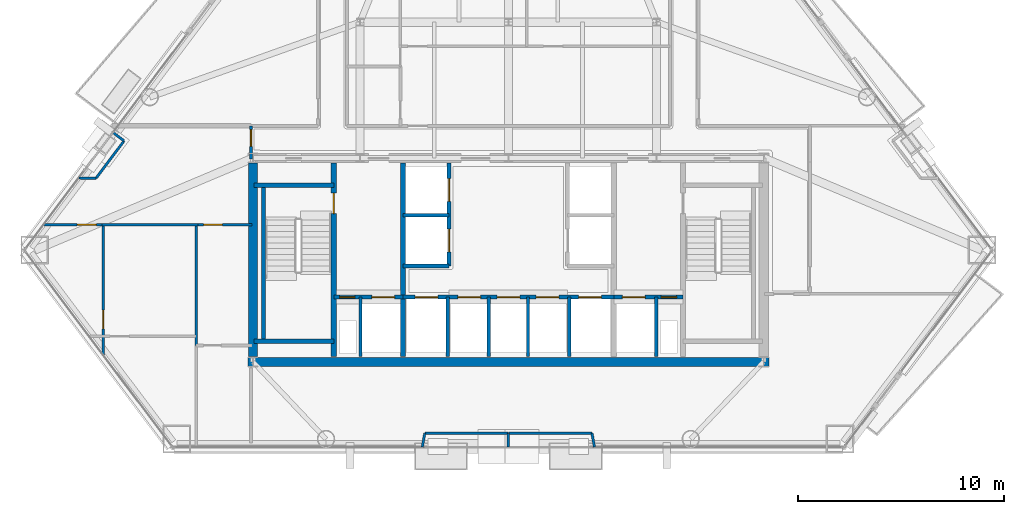
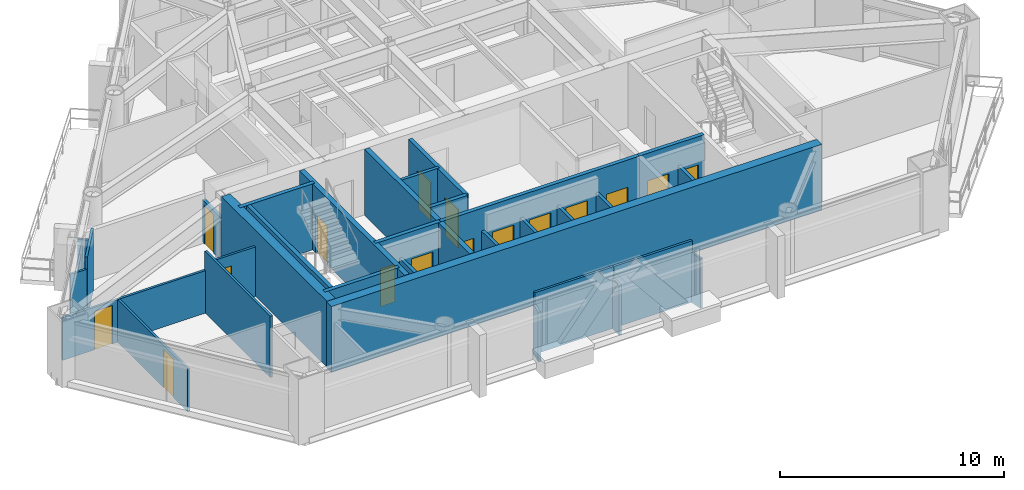
# One storey, part 6 of 11: 33 walls, 16 doors, 16 openings.
"""IFC4 building model written with IfcOpenShell, lengths in metres."""

from ifc_helpers import new_model, si_unit, direction, frame, frame_2d, origin, place, context, subcontext, project, spatial, rectangle, extrude, material, layer, layer_set, type_object, element, fill, save


model = new_model("IFC4")

# Units and contexts
model_context = context("Model", 3, precision=1e-05, world=origin(), true_north=direction((0.0, 1.0)))
body_context = subcontext(model_context, "Body", "Model", "MODEL_VIEW")
ifc_project = project(units=[si_unit("LENGTHUNIT", "METRE"), si_unit("AREAUNIT", "SQUARE_METRE"), si_unit("VOLUMEUNIT", "CUBIC_METRE"), si_unit("PLANEANGLEUNIT", "RADIAN"), si_unit("MASSUNIT", "GRAM", prefix="KILO")], contexts=[model_context])

# Site, building, storey
site_placement = place(None, origin())
site = spatial("IfcSite", under=ifc_project, at=site_placement, CompositionType="ELEMENT")
building_placement = place(site_placement, origin())
building = spatial("IfcBuilding", under=site, at=building_placement, Name="Talgorran Terracotta Tower", CompositionType="ELEMENT")
storey_placement = place(building_placement, frame((0.0, 0.0, 72.0)))
storey = spatial("IfcBuildingStorey", under=building, at=storey_placement, Name="L18", CompositionType="ELEMENT", Elevation=72.0)

# Walls
ifc_material_1 = material(Name="Concrete C50/60", Category="concrete")
ifc_layer_1 = layer(ifc_material_1, 0.199951171875, Name="WT_CORE_200")
ifc_layer_set_1 = layer_set([ifc_layer_1], Name="Concrete C50/60")
wall_type_1 = type_object("IfcWallType", Name="WT_CORE_200", PredefinedType="SOLIDWALL", material=ifc_layer_set_1)
for number, where, z_axis, x_axis, name in (
    (1, (-12.35009765625, -5.52001953125, 0.0), (0.0, 0.0, 1.0), (1.0, 0.0, 0.0), "WL-L18-CW-ST1-N"),
    (2, (-12.35009765625, -13.10009765625, 0.0), (0.0, 0.0, 1.0), (1.0, 0.0, 0.0), "WL-L18-CW-ST1-S"),
):
    element("IfcWall", number, at=place(storey_placement, frame(where, z_axis=z_axis, x_axis=x_axis)), inside=storey, type_object=wall_type_1, Name=name, PredefinedType="SOLIDWALL", context=body_context, shape_type="SweptSolid", body=[
        extrude(rectangle(XDim=3.8701171875, YDim=0.199951171875, at=frame_2d((1.93505859375, 0.0))), origin(), (0.0, 0.0, 1.0), 3.60009765625),
    ])
wall_1_placement = place(storey_placement, frame((-11.89990234375, -13.10009765625, 0.0), z_axis=(0.0, 0.0, 1.0), x_axis=(0.0, 1.0, 0.0)))
element("IfcWall", 3, at=wall_1_placement, inside=storey, type_object=wall_type_1, Name="WL-L18-CW-ST1-W", PredefinedType="SOLIDWALL", context=body_context, shape_type="SweptSolid", body=[
    extrude(rectangle(XDim=7.580078125, YDim=0.199951171875, at=frame_2d((3.7900390625, 0.0))), origin(), (0.0, 0.0, 1.0), 3.60009765625),
])

# Wall, openings, doors
wall_2_placement = place(storey_placement, frame((-8.47998046875, -10.949951171875, 0.0), z_axis=(0.0, 0.0, 1.0), x_axis=(1.0, 0.0, 0.0)))
wall_2 = element("IfcWall", 4, at=wall_2_placement, inside=storey, type_object=wall_type_1, Name="WL-L18-CW-H-SBW", PredefinedType="SOLIDWALL", context=body_context, shape_type="SweptSolid", body=[
    extrude(rectangle(XDim=3.35986328125, YDim=0.199951171875, at=frame_2d((1.679931640625, 0.0))), origin(), (0.0, 0.0, 1.0), 3.60009765625),
])
opening_1_placement = place(wall_2_placement, frame((0.280029296875, 0.0, 0.0)))
opening_1 = element("IfcOpeningElement", 5, at=opening_1_placement, cuts=wall_2, Name="Opening DR-RSW", PredefinedType="OPENING", context=body_context, shape_type="SweptSolid", body=[
    extrude(rectangle(XDim=0.756, YDim=2.054048828125, at=frame_2d((0.375, 1.027099609375))), frame((0.0, 0.10986328125, 0.0), z_axis=(0.0, -1.0, 0.0), x_axis=(1.0, 0.0, 0.0)), (0.0, 0.0, 1.0), 0.219970703125),
])
opening_2_placement = place(wall_2_placement, frame((1.85009765625, 0.0, 0.0)))
opening_2 = element("IfcOpeningElement", 6, at=opening_2_placement, cuts=wall_2, Name="Opening LD-FFL1", PredefinedType="OPENING", context=body_context, shape_type="SweptSolid", body=[
    extrude(rectangle(XDim=1.10609765625, YDim=2.10409765625, at=frame_2d((0.550048828125, 1.052001953125))), frame((0.0, 0.10986328125, 0.0), z_axis=(0.0, -1.0, 0.0), x_axis=(1.0, 0.0, 0.0)), (0.0, 0.0, 1.0), 0.219970703125),
])
ifc_material_2 = material(Name="Brushed Stainless Steel Grade 304", Category="steel")
door_type_1 = type_object("IfcDoorType", Name="DT_LIFT_LD1100", OperationType="DOUBLE_DOOR_SLIDING", PredefinedType="DOOR", material=ifc_material_2)
door_1_placement = place(opening_2_placement, origin())
door_1 = element("IfcDoor", 7, at=door_1_placement, inside=storey, type_object=door_type_1, Name="L18 Lift Landing Door LD-FFL1", OperationType="DOUBLE_DOOR_SLIDING", OverallHeight=2.10009765625, OverallWidth=1.10009765625, PredefinedType="DOOR", context=body_context, shape_type="SweptSolid", body=[
    extrude(rectangle(XDim=1.10009765625, YDim=2.10009765625, at=frame_2d((0.550048828125, 1.050048828125))), frame((0.0, 0.02490234375, 0.0), z_axis=(0.0, -1.0, 0.0), x_axis=(1.0, 0.0, 0.0)), (0.0, 0.0, 1.0), 0.050048828125),
])
fill(opening_2, door_1)
ifc_material_3 = material(Name="Fire-Rated Pressed Steel", Category="steel")
door_type_2 = type_object("IfcDoorType", Name="DT_RISER_750", OperationType="NOTDEFINED", PredefinedType="DOOR", material=ifc_material_3)
door_2_placement = place(opening_1_placement, origin())
door_2 = element("IfcDoor", 8, at=door_2_placement, inside=storey, type_object=door_type_2, Name="DR-RSW", OperationType="SINGLE_SWING_LEFT", OverallHeight=2.050048828125, OverallWidth=0.75, PredefinedType="DOOR", context=body_context, shape_type="SweptSolid", body=[
    extrude(rectangle(XDim=0.75, YDim=2.050048828125, at=frame_2d((0.375, 1.02490234375))), frame((0.0, 0.02490234375, 0.0), z_axis=(0.0, -1.0, 0.0), x_axis=(1.0, 0.0, 0.0)), (0.0, 0.0, 1.0), 0.050048828125),
])
fill(opening_1, door_2)

wall_3_placement = place(storey_placement, frame((-5.1201171875, -10.949951171875, 0.0), z_axis=(0.0, 0.0, 1.0), x_axis=(1.0, 0.0, 0.0)))
wall_3 = element("IfcWall", 9, at=wall_3_placement, inside=storey, type_object=wall_type_1, Name="WL-L18-CW-H-SBC", PredefinedType="SOLIDWALL", context=body_context, shape_type="SweptSolid", body=[
    extrude(rectangle(XDim=10.240234375, YDim=0.199951171875, at=frame_2d((5.1201171875, 0.0))), origin(), (0.0, 0.0, 1.0), 3.60009765625),
])
opening_3_placement = place(wall_3_placement, frame((0.60009765625, 0.0, 0.0)))
opening_3 = element("IfcOpeningElement", 10, at=opening_3_placement, cuts=wall_3, Name="Opening LD-OB1", PredefinedType="OPENING", context=body_context, shape_type="SweptSolid", body=[
    extrude(rectangle(XDim=1.10609765625, YDim=2.10409765625, at=frame_2d((0.550048828125, 1.052001953125))), frame((0.0, 0.10986328125, 0.0), z_axis=(0.0, -1.0, 0.0), x_axis=(1.0, 0.0, 0.0)), (0.0, 0.0, 1.0), 0.219970703125),
])
opening_4_placement = place(wall_3_placement, frame((2.669921875, 0.0, 0.0)))
opening_4 = element("IfcOpeningElement", 11, at=opening_4_placement, cuts=wall_3, Name="Opening LD-PLH1", PredefinedType="OPENING", context=body_context, shape_type="SweptSolid", body=[
    extrude(rectangle(XDim=1.10609765625, YDim=2.10409765625, at=frame_2d((0.550048828125, 1.052001953125))), frame((0.0, 0.10986328125, 0.0), z_axis=(0.0, -1.0, 0.0), x_axis=(1.0, 0.0, 0.0)), (0.0, 0.0, 1.0), 0.219970703125),
])
opening_5_placement = place(wall_3_placement, frame((4.570068359375, 0.0, 0.0)))
opening_5 = element("IfcOpeningElement", 12, at=opening_5_placement, cuts=wall_3, Name="Opening LD-PLH2", PredefinedType="OPENING", context=body_context, shape_type="SweptSolid", body=[
    extrude(rectangle(XDim=1.10609765625, YDim=2.10409765625, at=frame_2d((0.550048828125, 1.052001953125))), frame((0.0, 0.10986328125, 0.0), z_axis=(0.0, -1.0, 0.0), x_axis=(1.0, 0.0, 0.0)), (0.0, 0.0, 1.0), 0.219970703125),
])
opening_6_placement = place(wall_3_placement, frame((6.469970703125, 0.0, 0.0)))
opening_6 = element("IfcOpeningElement", 13, at=opening_6_placement, cuts=wall_3, Name="Opening LD-PLH3", PredefinedType="OPENING", context=body_context, shape_type="SweptSolid", body=[
    extrude(rectangle(XDim=1.10609765625, YDim=2.10409765625, at=frame_2d((0.550048828125, 1.052001953125))), frame((0.0, 0.10986328125, 0.0), z_axis=(0.0, -1.0, 0.0), x_axis=(1.0, 0.0, 0.0)), (0.0, 0.0, 1.0), 0.219970703125),
])
opening_7_placement = place(wall_3_placement, frame((8.5400390625, 0.0, 0.0)))
opening_7 = element("IfcOpeningElement", 14, at=opening_7_placement, cuts=wall_3, Name="Opening LD-SVL1", PredefinedType="OPENING", context=body_context, shape_type="SweptSolid", body=[
    extrude(rectangle(XDim=1.10609765625, YDim=2.10409765625, at=frame_2d((0.550048828125, 1.052001953125))), frame((0.0, 0.10986328125, 0.0), z_axis=(0.0, -1.0, 0.0), x_axis=(1.0, 0.0, 0.0)), (0.0, 0.0, 1.0), 0.219970703125),
])
door_3_placement = place(opening_3_placement, origin())
door_3 = element("IfcDoor", 15, at=door_3_placement, inside=storey, type_object=door_type_1, Name="L18 Lift Landing Door LD-OB1", OperationType="DOUBLE_DOOR_SLIDING", OverallHeight=2.10009765625, OverallWidth=1.10009765625, PredefinedType="DOOR", context=body_context, shape_type="SweptSolid", body=[
    extrude(rectangle(XDim=1.10009765625, YDim=2.10009765625, at=frame_2d((0.550048828125, 1.050048828125))), frame((0.0, 0.02490234375, 0.0), z_axis=(0.0, -1.0, 0.0), x_axis=(1.0, 0.0, 0.0)), (0.0, 0.0, 1.0), 0.050048828125),
])
fill(opening_3, door_3)
door_4_placement = place(opening_4_placement, origin())
door_4 = element("IfcDoor", 16, at=door_4_placement, inside=storey, type_object=door_type_1, Name="L18 Lift Landing Door LD-PLH1", OperationType="DOUBLE_DOOR_SLIDING", OverallHeight=2.10009765625, OverallWidth=1.10009765625, PredefinedType="DOOR", context=body_context, shape_type="SweptSolid", body=[
    extrude(rectangle(XDim=1.10009765625, YDim=2.10009765625, at=frame_2d((0.550048828125, 1.050048828125))), frame((0.0, 0.02490234375, 0.0), z_axis=(0.0, -1.0, 0.0), x_axis=(1.0, 0.0, 0.0)), (0.0, 0.0, 1.0), 0.050048828125),
])
fill(opening_4, door_4)
door_5_placement = place(opening_5_placement, origin())
door_5 = element("IfcDoor", 17, at=door_5_placement, inside=storey, type_object=door_type_1, Name="L18 Lift Landing Door LD-PLH2", OperationType="DOUBLE_DOOR_SLIDING", OverallHeight=2.10009765625, OverallWidth=1.10009765625, PredefinedType="DOOR", context=body_context, shape_type="SweptSolid", body=[
    extrude(rectangle(XDim=1.10009765625, YDim=2.10009765625, at=frame_2d((0.550048828125, 1.050048828125))), frame((0.0, 0.02490234375, 0.0), z_axis=(0.0, -1.0, 0.0), x_axis=(1.0, 0.0, 0.0)), (0.0, 0.0, 1.0), 0.050048828125),
])
fill(opening_5, door_5)
door_6_placement = place(opening_6_placement, origin())
door_6 = element("IfcDoor", 18, at=door_6_placement, inside=storey, type_object=door_type_1, Name="L18 Lift Landing Door LD-PLH3", OperationType="DOUBLE_DOOR_SLIDING", OverallHeight=2.10009765625, OverallWidth=1.10009765625, PredefinedType="DOOR", context=body_context, shape_type="SweptSolid", body=[
    extrude(rectangle(XDim=1.10009765625, YDim=2.10009765625, at=frame_2d((0.550048828125, 1.050048828125))), frame((0.0, 0.02490234375, 0.0), z_axis=(0.0, -1.0, 0.0), x_axis=(1.0, 0.0, 0.0)), (0.0, 0.0, 1.0), 0.050048828125),
])
fill(opening_6, door_6)
door_7_placement = place(opening_7_placement, origin())
door_7 = element("IfcDoor", 19, at=door_7_placement, inside=storey, type_object=door_type_1, Name="L18 Lift Landing Door LD-SVL1", OperationType="DOUBLE_DOOR_SLIDING", OverallHeight=2.10009765625, OverallWidth=1.10009765625, PredefinedType="DOOR", context=body_context, shape_type="SweptSolid", body=[
    extrude(rectangle(XDim=1.10009765625, YDim=2.10009765625, at=frame_2d((0.550048828125, 1.050048828125))), frame((0.0, 0.02490234375, 0.0), z_axis=(0.0, -1.0, 0.0), x_axis=(1.0, 0.0, 0.0)), (0.0, 0.0, 1.0), 0.050048828125),
])
fill(opening_7, door_7)

wall_4_placement = place(storey_placement, frame((5.1201171875, -10.949951171875, 0.0), z_axis=(0.0, 0.0, 1.0), x_axis=(1.0, 0.0, 0.0)))
wall_4 = element("IfcWall", 20, at=wall_4_placement, inside=storey, type_object=wall_type_1, Name="WL-L18-CW-H-SBE", PredefinedType="SOLIDWALL", context=body_context, shape_type="SweptSolid", body=[
    extrude(rectangle(XDim=3.35986328125, YDim=0.199951171875, at=frame_2d((1.679931640625, 0.0))), origin(), (0.0, 0.0, 1.0), 3.60009765625),
])
opening_8_placement = place(wall_4_placement, frame((0.419921875, 0.0, 0.0)))
opening_8 = element("IfcOpeningElement", 21, at=opening_8_placement, cuts=wall_4, Name="Opening LD-FFL2", PredefinedType="OPENING", context=body_context, shape_type="SweptSolid", body=[
    extrude(rectangle(XDim=1.10609765625, YDim=2.10409765625, at=frame_2d((0.550048828125, 1.052001953125))), frame((0.0, 0.10986328125, 0.0), z_axis=(0.0, -1.0, 0.0), x_axis=(1.0, 0.0, 0.0)), (0.0, 0.0, 1.0), 0.219970703125),
])
opening_9_placement = place(wall_4_placement, frame((2.300048828125, 0.0, 0.0)))
opening_9 = element("IfcOpeningElement", 22, at=opening_9_placement, cuts=wall_4, Name="Opening DR-RSE", PredefinedType="OPENING", context=body_context, shape_type="SweptSolid", body=[
    extrude(rectangle(XDim=0.756, YDim=2.054048828125, at=frame_2d((0.375, 1.027099609375))), frame((0.0, 0.10986328125, 0.0), z_axis=(0.0, -1.0, 0.0), x_axis=(1.0, 0.0, 0.0)), (0.0, 0.0, 1.0), 0.219970703125),
])
door_8_placement = place(opening_8_placement, origin())
door_8 = element("IfcDoor", 23, at=door_8_placement, inside=storey, type_object=door_type_1, Name="L18 Lift Landing Door LD-FFL2", OperationType="DOUBLE_DOOR_SLIDING", OverallHeight=2.10009765625, OverallWidth=1.10009765625, PredefinedType="DOOR", context=body_context, shape_type="SweptSolid", body=[
    extrude(rectangle(XDim=1.10009765625, YDim=2.10009765625, at=frame_2d((0.550048828125, 1.050048828125))), frame((0.0, 0.02490234375, 0.0), z_axis=(0.0, -1.0, 0.0), x_axis=(1.0, 0.0, 0.0)), (0.0, 0.0, 1.0), 0.050048828125),
])
fill(opening_8, door_8)
door_9_placement = place(opening_9_placement, origin())
door_9 = element("IfcDoor", 24, at=door_9_placement, inside=storey, type_object=door_type_2, Name="DR-RSE", OperationType="SINGLE_SWING_RIGHT", OverallHeight=2.050048828125, OverallWidth=0.75, PredefinedType="DOOR", context=body_context, shape_type="SweptSolid", body=[
    extrude(rectangle(XDim=0.75, YDim=2.050048828125, at=frame_2d((0.375, 1.02490234375))), frame((0.0, 0.02490234375, 0.0), z_axis=(0.0, -1.0, 0.0), x_axis=(1.0, 0.0, 0.0)), (0.0, 0.0, 1.0), 0.050048828125),
])
fill(opening_9, door_9)

wall_5_placement = place(storey_placement, frame((-2.8798828125, -9.449951171875, 0.0), z_axis=(0.0, 0.0, 1.0), x_axis=(0.0, 1.0, 0.0)))
wall_5 = element("IfcWall", 25, at=wall_5_placement, inside=storey, type_object=wall_type_1, Name="WL-L18-CW-V-W3", PredefinedType="SOLIDWALL", context=body_context, shape_type="SweptSolid", body=[
    extrude(rectangle(XDim=5.0, YDim=0.199951171875, at=frame_2d((2.5, 0.0))), origin(), (0.0, 0.0, 1.0), 3.35009765625),
])
opening_10_placement = place(wall_5_placement, frame((0.699951171875, 0.0, 0.0)))
opening_10 = element("IfcOpeningElement", 26, at=opening_10_placement, cuts=wall_5, Name="Opening LD-PLL1", PredefinedType="OPENING", context=body_context, shape_type="SweptSolid", body=[
    extrude(rectangle(XDim=1.10609765625, YDim=2.10409765625, at=frame_2d((0.550048828125, 1.052001953125))), frame((0.0, 0.10986328125, 0.0), z_axis=(0.0, -1.0, 0.0), x_axis=(1.0, 0.0, 0.0)), (0.0, 0.0, 1.0), 0.219970703125),
])
opening_11_placement = place(wall_5_placement, frame((3.14990234375, 0.0, 0.0)))
opening_11 = element("IfcOpeningElement", 27, at=opening_11_placement, cuts=wall_5, Name="Opening LD-PLL2", PredefinedType="OPENING", context=body_context, shape_type="SweptSolid", body=[
    extrude(rectangle(XDim=1.10609765625, YDim=2.10409765625, at=frame_2d((0.550048828125, 1.052001953125))), frame((0.0, 0.10986328125, 0.0), z_axis=(0.0, -1.0, 0.0), x_axis=(1.0, 0.0, 0.0)), (0.0, 0.0, 1.0), 0.219970703125),
])
door_10_placement = place(opening_10_placement, origin())
door_10 = element("IfcDoor", 28, at=door_10_placement, inside=storey, type_object=door_type_1, Name="L18 Lift Landing Door LD-PLL1", OperationType="DOUBLE_DOOR_SLIDING", OverallHeight=2.10009765625, OverallWidth=1.10009765625, PredefinedType="DOOR", context=body_context, shape_type="SweptSolid", body=[
    extrude(rectangle(XDim=1.10009765625, YDim=2.10009765625, at=frame_2d((0.550048828125, 1.050048828125))), frame((0.0, 0.02490234375, 0.0), z_axis=(0.0, -1.0, 0.0), x_axis=(1.0, 0.0, 0.0)), (0.0, 0.0, 1.0), 0.050048828125),
])
fill(opening_10, door_10)
door_11_placement = place(opening_11_placement, origin())
door_11 = element("IfcDoor", 29, at=door_11_placement, inside=storey, type_object=door_type_1, Name="L18 Lift Landing Door LD-PLL2", OperationType="DOUBLE_DOOR_SLIDING", OverallHeight=2.10009765625, OverallWidth=1.10009765625, PredefinedType="DOOR", context=body_context, shape_type="SweptSolid", body=[
    extrude(rectangle(XDim=1.10009765625, YDim=2.10009765625, at=frame_2d((0.550048828125, 1.050048828125))), frame((0.0, 0.02490234375, 0.0), z_axis=(0.0, -1.0, 0.0), x_axis=(1.0, 0.0, 0.0)), (0.0, 0.0, 1.0), 0.050048828125),
])
fill(opening_11, door_11)

# Wall
wall_6_placement = place(storey_placement, frame((-5.1201171875, -9.449951171875, 0.0), z_axis=(0.0, 0.0, 1.0), x_axis=(1.0, 0.0, 0.0)))
element("IfcWall", 30, at=wall_6_placement, inside=storey, type_object=wall_type_1, Name="WL-L18-CW-H-W4", PredefinedType="SOLIDWALL", context=body_context, shape_type="SweptSolid", body=[
    extrude(rectangle(XDim=2.240234375, YDim=0.199951171875, at=frame_2d((1.1201171875, 0.0))), origin(), (0.0, 0.0, 1.0), 3.35009765625),
])

# Wall, opening, door
ifc_layer_2 = layer(ifc_material_1, 0.25, Name="WT_CORE_250")
ifc_layer_set_2 = layer_set([ifc_layer_2], Name="Concrete C50/60")
wall_type_2 = type_object("IfcWallType", Name="WT_CORE_250", PredefinedType="SHEAR", material=ifc_layer_set_2)
wall_7_placement = place(storey_placement, frame((-8.47998046875, -13.85009765625, 0.0), z_axis=(0.0, 0.0, 1.0), x_axis=(0.0, 1.0, 0.0)))
wall_7 = element("IfcWall", 31, at=wall_7_placement, inside=storey, type_object=wall_type_2, Name="WL-L18-CW-V-W1", PredefinedType="SHEAR", context=body_context, shape_type="SweptSolid", body=[
    extrude(rectangle(XDim=9.400146484375, YDim=0.25, at=frame_2d((4.7001953125, 0.0))), origin(), (0.0, 0.0, 1.0), 3.60009765625),
])
opening_12_placement = place(wall_7_placement, frame((6.949951171875, 0.0, 0.0)))
opening_12 = element("IfcOpeningElement", 32, at=opening_12_placement, cuts=wall_7, Name="Opening DR-ST01", PredefinedType="OPENING", context=body_context, shape_type="SweptSolid", body=[
    extrude(rectangle(XDim=1.006, YDim=2.10409765625, at=frame_2d((0.5, 1.052001953125))), frame((0.0, 0.135009765625, 0.0), z_axis=(0.0, -1.0, 0.0), x_axis=(1.0, 0.0, 0.0)), (0.0, 0.0, 1.0), 0.27001953125),
])
door_type_3 = type_object("IfcDoorType", Name="DT_FIRE_1000", OperationType="NOTDEFINED", PredefinedType="DOOR", material=ifc_material_3)
door_12_placement = place(opening_12_placement, origin())
door_12 = element("IfcDoor", 33, at=door_12_placement, inside=storey, type_object=door_type_3, Name="DR-ST01", OperationType="SINGLE_SWING_LEFT", OverallHeight=2.10009765625, OverallWidth=1.0, PredefinedType="DOOR", context=body_context, shape_type="SweptSolid", body=[
    extrude(rectangle(XDim=1.0, YDim=2.10009765625, at=frame_2d((0.5, 1.050048828125))), frame((0.0, 0.02490234375, 0.0), z_axis=(0.0, -1.0, 0.0), x_axis=(1.0, 0.0, 0.0)), (0.0, 0.0, 1.0), 0.050048828125),
])
fill(opening_12, door_12)

# Walls
wall_8_placement = place(storey_placement, frame((-5.1201171875, -13.85009765625, 0.0), z_axis=(0.0, 0.0, 1.0), x_axis=(0.0, 1.0, 0.0)))
element("IfcWall", 34, at=wall_8_placement, inside=storey, type_object=wall_type_2, Name="WL-L18-CW-V-W2", PredefinedType="SHEAR", context=body_context, shape_type="SweptSolid", body=[
    extrude(rectangle(XDim=9.400146484375, YDim=0.25, at=frame_2d((4.7001953125, 0.0))), origin(), (0.0, 0.0, 1.0), 3.60009765625),
])
ifc_material_4 = material(Name="Concrete C65/80", Category="concrete")
ifc_layer_3 = layer(ifc_material_4, 0.449951171875, Name="WT_CORE_EXT")
ifc_layer_set_3 = layer_set([ifc_layer_3], Name="Concrete C65/80")
wall_type_3 = type_object("IfcWallType", Name="WT_CORE_EXT", PredefinedType="SHEAR", material=ifc_layer_set_3)
wall_9_placement = place(storey_placement, frame((-12.64990234375, -14.10009765625, 0.0), z_axis=(0.0, 0.0, 1.0), x_axis=(1.0, 0.0, 0.0)))
element("IfcWall", 35, at=wall_9_placement, inside=storey, type_object=wall_type_3, Name="WL-L18-CW-OUT-S", PredefinedType="SHEAR", context=body_context, shape_type="SweptSolid", body=[
    extrude(rectangle(XDim=25.2998046875, YDim=0.449951171875, at=frame_2d((12.64990234375, 0.0))), origin(), (0.0, 0.0, 1.0), 3.60009765625),
])
wall_10_placement = place(storey_placement, frame((-12.39990234375, -13.85009765625, 0.0), z_axis=(0.0, 0.0, 1.0), x_axis=(0.0, 1.0, 0.0)))
element("IfcWall", 36, at=wall_10_placement, inside=storey, type_object=wall_type_3, Name="WL-L18-CW-OUT-W", PredefinedType="SHEAR", context=body_context, shape_type="SweptSolid", body=[
    extrude(rectangle(XDim=9.400146484375, YDim=0.449951171875, at=frame_2d((4.7001953125, 0.0))), origin(), (0.0, 0.0, 1.0), 3.60009765625),
])

# Wall, opening, door
ifc_material_5 = material(Name="Fire-Rated Steel Stud Plasterboard", Category="steel")
ifc_layer_4 = layer(ifc_material_5, 0.14990234375, Name="WT_FIRE_150")
ifc_layer_set_4 = layer_set([ifc_layer_4], Name="Fire-Rated Steel Stud Plasterboard")
wall_type_4 = type_object("IfcWallType", Name="WT_FIRE_150", PredefinedType="PARTITIONING", material=ifc_layer_set_4)
wall_11_placement = place(storey_placement, frame((-12.5, -4.239990234375, 0.0), z_axis=(0.0, 0.0, 1.0), x_axis=(0.0, 1.0, 0.0)))
wall_11 = element("IfcWall", 37, at=wall_11_placement, inside=storey, type_object=wall_type_4, Name="WL-L18-W-L18-R01", PredefinedType="PARTITIONING", context=body_context, shape_type="SweptSolid", body=[
    extrude(rectangle(XDim=1.60009765625, YDim=0.14990234375, at=frame_2d((0.800048828125, 0.0))), origin(), (0.0, 0.0, 1.0), 2.324951171875),
])
opening_13_placement = place(wall_11_placement, frame((0.602294921875, 0.0, 0.0)))
opening_13 = element("IfcOpeningElement", 38, at=opening_13_placement, cuts=wall_11, Name="Opening DR-L18-R01", PredefinedType="OPENING", context=body_context, shape_type="SweptSolid", body=[
    extrude(rectangle(XDim=0.826068359375, YDim=2.10409765625, at=frame_2d((0.41015625, 1.052001953125))), frame((0.0, 0.0849609375, 0.0), z_axis=(0.0, -1.0, 0.0), x_axis=(1.0, 0.0, 0.0)), (0.0, 0.0, 1.0), 0.169921875),
])
ifc_material_6 = material(Name="Moisture-Resistant Solid Timber", Category="wood")
door_type_4 = type_object("IfcDoorType", Name="DT_INT_820", OperationType="NOTDEFINED", PredefinedType="DOOR", material=ifc_material_6)
door_13_placement = place(opening_13_placement, origin())
door_13 = element("IfcDoor", 39, at=door_13_placement, inside=storey, type_object=door_type_4, Name="DR-L18-R01", OperationType="SINGLE_SWING_LEFT", OverallHeight=2.10009765625, OverallWidth=0.820068359375, PredefinedType="DOOR", context=body_context, shape_type="SweptSolid", body=[
    extrude(rectangle(XDim=0.820068359375, YDim=2.10009765625, at=frame_2d((0.41015625, 1.050048828125))), frame((0.0, 0.02490234375, 0.0), z_axis=(0.0, -1.0, 0.0), x_axis=(1.0, 0.0, 0.0)), (0.0, 0.0, 1.0), 0.050048828125),
])
fill(opening_13, door_13)

ifc_material_7 = material(Name="Insulated Steel Stud Plasterboard", Category="steel")
ifc_layer_5 = layer(ifc_material_7, 0.1201171875, Name="WT_PART_120")
ifc_layer_set_5 = layer_set([ifc_layer_5], Name="Insulated Steel Stud Plasterboard")
wall_type_5 = type_object("IfcWallType", Name="WT_PART_120", PredefinedType="PARTITIONING", material=ifc_layer_set_5)
wall_12_placement = place(storey_placement, frame((-19.679931640625, -13.75732421875, 0.0), z_axis=(0.0, 0.0, 1.0), x_axis=(0.0, 1.0, 0.0)))
wall_12 = element("IfcWall", 40, at=wall_12_placement, inside=storey, type_object=wall_type_5, Name="WL-L18-W-L18-R32", PredefinedType="PARTITIONING", context=body_context, shape_type="SweptSolid", body=[
    extrude(rectangle(XDim=6.3173828125, YDim=0.1201171875, at=frame_2d((3.15869140625, 0.0))), origin(), (0.0, 0.0, 1.0), 2.324951171875),
])
opening_14_placement = place(wall_12_placement, frame((1.25634765625, 0.0, 0.0)))
opening_14 = element("IfcOpeningElement", 41, at=opening_14_placement, cuts=wall_12, Name="Opening DR-L18-R04", PredefinedType="OPENING", context=body_context, shape_type="SweptSolid", body=[
    extrude(rectangle(XDim=0.925921875, YDim=2.10409765625, at=frame_2d((0.4599609375, 1.052001953125))), frame((0.0, 0.070068359375, 0.0), z_axis=(0.0, -1.0, 0.0), x_axis=(1.0, 0.0, 0.0)), (0.0, 0.0, 1.0), 0.14013671875),
])
ifc_material_8 = material(Name="Solid-Core Painted Timber", Category="wood")
door_type_5 = type_object("IfcDoorType", Name="DT_INT_920", OperationType="NOTDEFINED", PredefinedType="DOOR", material=ifc_material_8)
door_14_placement = place(opening_14_placement, origin())
door_14 = element("IfcDoor", 42, at=door_14_placement, inside=storey, type_object=door_type_5, Name="DR-L18-R04", OperationType="SINGLE_SWING_RIGHT", OverallHeight=2.10009765625, OverallWidth=0.919921875, PredefinedType="DOOR", context=body_context, shape_type="SweptSolid", body=[
    extrude(rectangle(XDim=0.919921875, YDim=2.10009765625, at=frame_2d((0.4599609375, 1.050048828125))), frame((0.0, 0.02490234375, 0.0), z_axis=(0.0, -1.0, 0.0), x_axis=(1.0, 0.0, 0.0)), (0.0, 0.0, 1.0), 0.050048828125),
])
fill(opening_14, door_14)

# Walls
wall_13_placement = place(storey_placement, frame((-15.159912109375, -13.300048828125, 0.0), z_axis=(0.0, 0.0, 1.0), x_axis=(0.0, 1.0, 0.0)))
element("IfcWall", 43, at=wall_13_placement, inside=storey, type_object=wall_type_5, Name="WL-L18-W-L18-R29", PredefinedType="PARTITIONING", context=body_context, shape_type="SweptSolid", body=[
    extrude(rectangle(XDim=5.860107421875, YDim=0.1201171875, at=frame_2d((2.93017578125, 0.0))), origin(), (0.0, 0.0, 1.0), 3.35009765625),
])
wall_14_placement = place(storey_placement, frame((-19.739990234375, -7.43994140625, 0.0), z_axis=(0.0, 0.0, 1.0), x_axis=(1.0, 0.0, 0.0)))
element("IfcWall", 44, at=wall_14_placement, inside=storey, type_object=wall_type_5, Name="WL-L18-W-L18-R24", PredefinedType="PARTITIONING", context=body_context, shape_type="SweptSolid", body=[
    extrude(rectangle(XDim=4.659912109375, YDim=0.1201171875, at=frame_2d((2.330078125, 0.0))), origin(), (0.0, 0.0, 1.0), 2.324951171875),
])
for number, where, z_axis, x_axis, name in (
    (45, (-4.059326171875, -17.566650390625, 0.0), (0.0, 0.0, 1.0), (1.0, 0.0, 0.0), "WL-L18-BW-L18-01"),
    (46, (0.01123046875, -17.566650390625, 0.0), (0.0, 0.0, 1.0), (1.0, 0.0, 0.0), "WL-L18-BW-L18-06"),
):
    element("IfcWall", number, at=place(storey_placement, frame(where, z_axis=z_axis, x_axis=x_axis)), inside=storey, type_object=wall_type_5, Name=name, PredefinedType="PARTITIONING", context=body_context, shape_type="SweptSolid", body=[
        extrude(rectangle(XDim=4.048095703125, YDim=0.1201171875, at=frame_2d((2.02392578125, 0.0))), origin(), (0.0, 0.0, 1.0), 3.35009765625),
    ])

# Wall, opening, door
wall_15_placement = place(storey_placement, frame((-22.578125, -7.43994140625, 0.0), z_axis=(0.0, 0.0, 1.0), x_axis=(1.0, 0.0, 0.0)))
wall_15 = element("IfcWall", 47, at=wall_15_placement, inside=storey, type_object=wall_type_5, Name="WL-L18-W-L18-R23", PredefinedType="PARTITIONING", context=body_context, shape_type="SweptSolid", body=[
    extrude(rectangle(XDim=2.836181640625, YDim=0.1201171875, at=frame_2d((1.41796875, 0.0))), origin(), (0.0, 0.0, 1.0), 2.324951171875),
])
opening_15_placement = place(wall_15_placement, frame((1.6416015625, 0.0, 0.0)))
opening_15 = element("IfcOpeningElement", 48, at=opening_15_placement, cuts=wall_15, Name="Opening DR-L18-R24", PredefinedType="OPENING", context=body_context, shape_type="SweptSolid", body=[
    extrude(rectangle(XDim=0.925921875, YDim=2.10409765625, at=frame_2d((0.4599609375, 1.052001953125))), frame((0.0, 0.070068359375, 0.0), z_axis=(0.0, -1.0, 0.0), x_axis=(1.0, 0.0, 0.0)), (0.0, 0.0, 1.0), 0.14013671875),
])
door_15_placement = place(opening_15_placement, origin())
door_15 = element("IfcDoor", 49, at=door_15_placement, inside=storey, type_object=door_type_5, Name="DR-L18-R24", OperationType="SINGLE_SWING_RIGHT", OverallHeight=2.10009765625, OverallWidth=0.919921875, PredefinedType="DOOR", context=body_context, shape_type="SweptSolid", body=[
    extrude(rectangle(XDim=0.919921875, YDim=2.10009765625, at=frame_2d((0.4599609375, 1.050048828125))), frame((0.0, 0.02490234375, 0.0), z_axis=(0.0, -1.0, 0.0), x_axis=(1.0, 0.0, 0.0)), (0.0, 0.0, 1.0), 0.050048828125),
])
fill(opening_15, door_15)

wall_16_placement = place(storey_placement, frame((-15.077880859375, -7.43994140625, 0.0), z_axis=(0.0, 0.0, 1.0), x_axis=(1.0, 0.0, 0.0)))
wall_16 = element("IfcWall", 50, at=wall_16_placement, inside=storey, type_object=wall_type_5, Name="WL-L18-W-L18-R22", PredefinedType="PARTITIONING", context=body_context, shape_type="SweptSolid", body=[
    extrude(rectangle(XDim=2.637939453125, YDim=0.1201171875, at=frame_2d((1.31884765625, 0.0))), origin(), (0.0, 0.0, 1.0), 2.71337890625),
])
opening_16_placement = place(wall_16_placement, frame((0.27392578125, 0.0, 0.0)))
opening_16 = element("IfcOpeningElement", 51, at=opening_16_placement, cuts=wall_16, Name="Opening DR-L18-R23", PredefinedType="OPENING", context=body_context, shape_type="SweptSolid", body=[
    extrude(rectangle(XDim=0.925921875, YDim=2.10409765625, at=frame_2d((0.4599609375, 1.052001953125))), frame((0.0, 0.070068359375, 0.0), z_axis=(0.0, -1.0, 0.0), x_axis=(1.0, 0.0, 0.0)), (0.0, 0.0, 1.0), 0.14013671875),
])
door_16_placement = place(opening_16_placement, origin())
door_16 = element("IfcDoor", 52, at=door_16_placement, inside=storey, type_object=door_type_5, Name="DR-L18-R23", OperationType="SINGLE_SWING_LEFT", OverallHeight=2.10009765625, OverallWidth=0.919921875, PredefinedType="DOOR", context=body_context, shape_type="SweptSolid", body=[
    extrude(rectangle(XDim=0.919921875, YDim=2.10009765625, at=frame_2d((0.4599609375, 1.050048828125))), frame((0.0, 0.02490234375, 0.0), z_axis=(0.0, -1.0, 0.0), x_axis=(1.0, 0.0, 0.0)), (0.0, 0.0, 1.0), 0.050048828125),
])
fill(opening_16, door_16)

# Walls
wall_17_placement = place(storey_placement, frame((-18.66162109375, -3.36572265625, 0.0), z_axis=(0.0, 0.0, 1.0), x_axis=(-0.601301632327, -0.799022119194, 0.0)))
element("IfcWall", 53, at=wall_17_placement, inside=storey, type_object=wall_type_5, Name="WL-L18-BW-L18-08", PredefinedType="PARTITIONING", context=body_context, shape_type="SweptSolid", body=[
    extrude(rectangle(XDim=2.279296875, YDim=0.1201171875, at=frame_2d((1.1396484375, 0.0))), origin(), (0.0, 0.0, 1.0), 3.35009765625),
])
wall_18_placement = place(storey_placement, frame((-20.0322265625, -5.18701171875, 0.0), z_axis=(0.0, 0.0, 1.0), x_axis=(-0.999739997708, 0.022802126725, 0.0)))
element("IfcWall", 54, at=wall_18_placement, inside=storey, type_object=wall_type_5, Name="WL-L18-BW-L18-09", PredefinedType="PARTITIONING", context=body_context, shape_type="SweptSolid", body=[
    extrude(rectangle(XDim=0.824462890625, YDim=0.1201171875, at=frame_2d((0.412109375, 0.0))), origin(), (0.0, 0.0, 1.0), 2.71337890625),
])
for number, where, z_axis, x_axis, name in (
    (55, (-4.181396484375, -18.23681640625, 0.0), (0.0, 0.0, 1.0), (0.179200822456, 0.983812515285, 0.0), "WL-L18-BW-L18-03"),
    (56, (4.059326171875, -17.566650390625, 0.0), (0.0, 0.0, 1.0), (0.179200822456, -0.983812515285, 0.0), "WL-L18-BW-L18-04"),
):
    element("IfcWall", number, at=place(storey_placement, frame(where, z_axis=z_axis, x_axis=x_axis)), inside=storey, type_object=wall_type_5, Name=name, PredefinedType="PARTITIONING", context=body_context, shape_type="SweptSolid", body=[
        extrude(rectangle(XDim=0.68115234375, YDim=0.1201171875, at=frame_2d((0.340576171875, 0.0))), origin(), (0.0, 0.0, 1.0), 2.71337890625),
    ])
wall_19_placement = place(storey_placement, frame((-19.197021484375, -2.962890625, 0.0), z_axis=(0.0, 0.0, 1.0), x_axis=(0.799080830747, -0.601223607265, 0.0)))
element("IfcWall", 57, at=wall_19_placement, inside=storey, type_object=wall_type_5, Name="WL-L18-BW-L18-07", PredefinedType="PARTITIONING", context=body_context, shape_type="SweptSolid", body=[
    extrude(rectangle(XDim=0.669921875, YDim=0.1201171875, at=frame_2d((0.3349609375, 0.0))), origin(), (0.0, 0.0, 1.0), 2.71337890625),
])
wall_20_placement = place(storey_placement, frame((-0.01123046875, -17.566650390625, 0.0), z_axis=(0.0, 0.0, 1.0), x_axis=(0.0, -1.0, 0.0)))
element("IfcWall", 58, at=wall_20_placement, inside=storey, type_object=wall_type_5, Name="WL-L18-BW-L18-02", PredefinedType="PARTITIONING", context=body_context, shape_type="SweptSolid", body=[
    extrude(rectangle(XDim=0.670166015625, YDim=0.1201171875, at=frame_2d((0.3349609375, 0.0))), origin(), (0.0, 0.0, 1.0), 2.71337890625),
])
ifc_material_9 = material(Name="Fire-Rated Shaftwall")
ifc_layer_6 = layer(ifc_material_9, 0.159912109375, Name="WT_PART_150")
ifc_layer_set_6 = layer_set([ifc_layer_6], Name="Fire-Rated Shaftwall")
wall_type_6 = type_object("IfcWallType", Name="WT_PART_150", PredefinedType="PARTITIONING", material=ifc_layer_set_6)
wall_21_placement = place(storey_placement, frame((-5.1201171875, -6.97998046875, 0.0), z_axis=(0.0, 0.0, 1.0), x_axis=(1.0, 0.0, 0.0)))
element("IfcWall", 59, at=wall_21_placement, inside=storey, type_object=wall_type_6, Name="WL-L18-CW-PLL-DIV", PredefinedType="PARTITIONING", context=body_context, shape_type="SweptSolid", body=[
    extrude(rectangle(XDim=2.240234375, YDim=0.159912109375, at=frame_2d((1.1201171875, 0.0))), origin(), (0.0, 0.0, 1.0), 3.35009765625),
])
for number, where, z_axis, x_axis, name in (
    (60, (-7.179931640625, -13.85009765625, 0.0), (0.0, 0.0, 1.0), (0.0, 1.0, 0.0), "WL-L18-CW-RSW"),
    (61, (7.179931640625, -13.85009765625, 0.0), (0.0, 0.0, 1.0), (0.0, 1.0, 0.0), "WL-L18-CW-RSE"),
    (62, (-2.949951171875, -13.85009765625, 0.0), (0.0, 0.0, 1.0), (0.0, 1.0, 0.0), "WL-L18-CW-OB-E"),
    (63, (2.949951171875, -13.85009765625, 0.0), (0.0, 0.0, 1.0), (0.0, 1.0, 0.0), "WL-L18-CW-SV-W"),
    (64, (-0.949951171875, -13.85009765625, 0.0), (0.0, 0.0, 1.0), (0.0, 1.0, 0.0), "WL-L18-CW-PLH-D1"),
    (65, (0.949951171875, -13.85009765625, 0.0), (0.0, 0.0, 1.0), (0.0, 1.0, 0.0), "WL-L18-CW-PLH-D2"),
):
    element("IfcWall", number, at=place(storey_placement, frame(where, z_axis=z_axis, x_axis=x_axis)), inside=storey, type_object=wall_type_6, Name=name, PredefinedType="PARTITIONING", context=body_context, shape_type="SweptSolid", body=[
        extrude(rectangle(XDim=2.900146484375, YDim=0.159912109375, at=frame_2d((1.4501953125, 0.0))), origin(), (0.0, 0.0, 1.0), 2.375),
    ])

save(model, "model.ifc")
